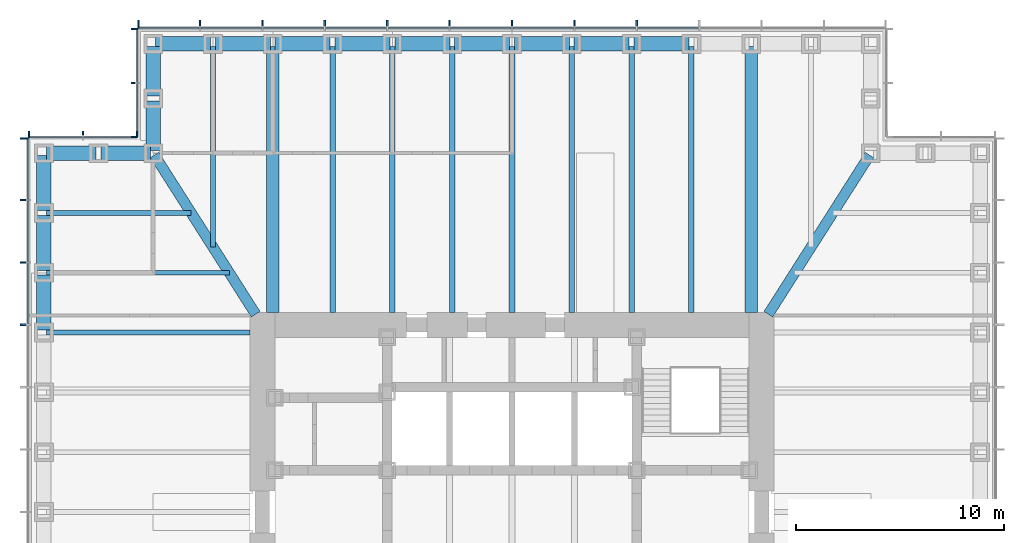
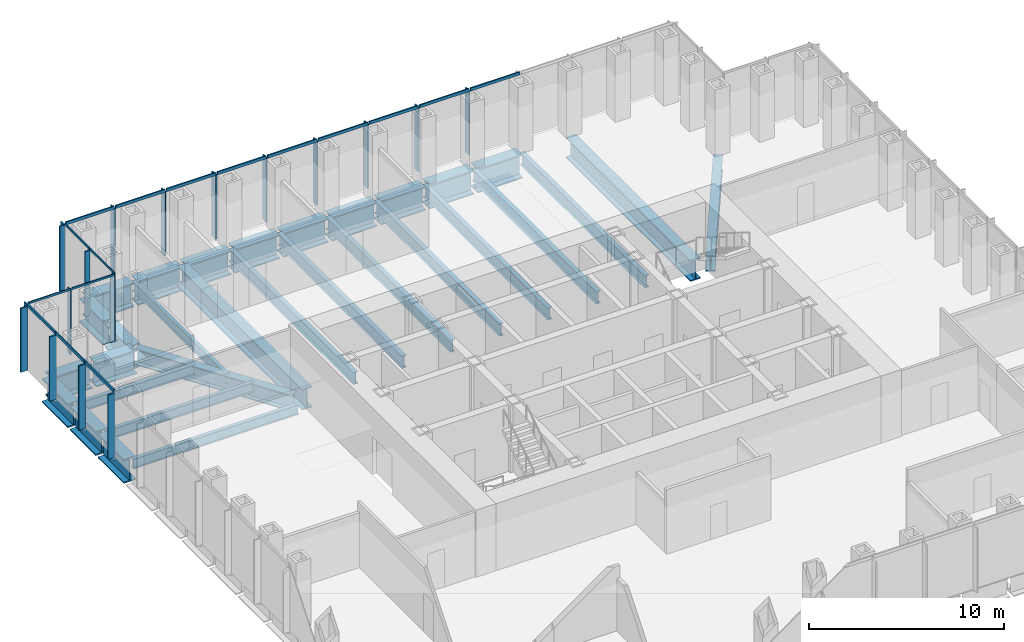
# One storey, part 5 of 16: 35 members, 31 beams, 4 elements without a shape of their own.
"""IFC4 building model written with IfcOpenShell, lengths in metres."""

import ifcopenshell
import ifcopenshell.guid

model = None  # the IFC model being written
_history = None  # IfcOwnerHistory: only IFC2X3 demands one
_inside = {}  # id of a spatial element -> (the spatial element, [elements in it])
_under = {}  # id of a project, library or spatial element -> (it, [spatial elements below it])
_declared = {}  # id of a project -> (the project, [libraries it declares])
_typed = {}  # id of a type object -> (the type object, [elements of that type])
_made_of = {}  # id of a material, layer set ... -> (it, [elements and type objects made of it])


def new_model(schema):
    """Start an empty IFC model of exactly this schema.

    Asked for "IFC4X3", IfcOpenShell would pick the latest addendum, in which some entities
    have other attributes; the version numbers below select the first issue.
    IFC2X3 requires an IfcOwnerHistory on every rooted entity: one is made here for all.
    """
    global model, _history
    if schema == "IFC4X3":
        model = ifcopenshell.file(schema_version=(4, 3, 0, 0))
    else:
        model = ifcopenshell.file(schema=schema)
    _inside.clear()
    _under.clear()
    _declared.clear()
    _typed.clear()
    _made_of.clear()
    _history = None
    if model.schema == "IFC2X3":
        org = make("IfcOrganization", Name="unknown")
        user = make(
            "IfcPersonAndOrganization",
            ThePerson=make("IfcPerson", FamilyName="unknown"),
            TheOrganization=org,
        )
        app = make(
            "IfcApplication",
            ApplicationDeveloper=org,
            Version="unknown",
            ApplicationFullName="unknown",
            ApplicationIdentifier="unknown",
        )
        _history = make(
            "IfcOwnerHistory",
            OwningUser=user,
            OwningApplication=app,
            ChangeAction="ADDED",
            CreationDate=0,
        )
    return model


def make(cls, **values):
    """One entity of the class cls with the attributes given. An attribute that is None is left unset."""
    return model.create_entity(
        cls, **{name: value for name, value in values.items() if value is not None}
    )


def rooted(cls, **values):
    """An entity with a GlobalId (a new one), such as an element, a storey or a relation."""
    return make(cls, GlobalId=ifcopenshell.guid.new(), OwnerHistory=_history, **values)


def si_unit(unit_type, name, prefix=None):
    """IfcSIUnit, for example si_unit("LENGTHUNIT", "METRE", prefix="MILLI")."""
    return make("IfcSIUnit", UnitType=unit_type, Prefix=prefix, Name=name)


def assignment(units):
    """IfcUnitAssignment: the units of a project."""
    return None if units is None else make("IfcUnitAssignment", Units=units)


def point(xyz):
    """IfcCartesianPoint."""
    return None if xyz is None else make("IfcCartesianPoint", Coordinates=xyz)


def direction(xyz):
    """IfcDirection."""
    return None if xyz is None else make("IfcDirection", DirectionRatios=xyz)


def frame(location, z_axis=None, x_axis=None):
    """IfcAxis2Placement3D, a coordinate frame: its origin and axes. An axis left out is left unset."""
    return make(
        "IfcAxis2Placement3D",
        Location=point(location),
        Axis=direction(z_axis),
        RefDirection=direction(x_axis),
    )


def frame_2d(location, x_axis=None):
    """IfcAxis2Placement2D, a coordinate frame in the plane: its origin and x axis."""
    return make(
        "IfcAxis2Placement2D", Location=point(location), RefDirection=direction(x_axis)
    )


def origin():
    """The frame at (0, 0, 0) with its axes left unset."""
    return frame((0.0, 0.0, 0.0))


def origin_2d():
    """The frame at (0, 0) in the plane with its x axis left unset."""
    return frame_2d((0.0, 0.0))


def place(relative_to, where):
    """IfcLocalPlacement: puts the frame where relative to a parent placement (None: the world)."""
    return make(
        "IfcLocalPlacement", PlacementRelTo=relative_to, RelativePlacement=where
    )


def context(
    kind, dimensions, precision=None, world=None, true_north=None, identifier=None
):
    """IfcGeometricRepresentationContext, for example the 3D "Model" context."""
    return make(
        "IfcGeometricRepresentationContext",
        ContextIdentifier=identifier,
        ContextType=kind,
        CoordinateSpaceDimension=dimensions,
        Precision=precision,
        WorldCoordinateSystem=world,
        TrueNorth=true_north,
    )


def subcontext(parent, identifier, kind, view, scale=None):
    """IfcGeometricRepresentationSubContext, for example "Body" below "Model"."""
    return make(
        "IfcGeometricRepresentationSubContext",
        ContextIdentifier=identifier,
        ContextType=kind,
        ParentContext=parent,
        TargetScale=scale,
        TargetView=view,
    )


def project(units=None, contexts=None):
    """IfcProject with its units and contexts."""
    return rooted(
        "IfcProject",
        Name="project",
        RepresentationContexts=contexts,
        UnitsInContext=assignment(units),
    )


def spatial(cls, under=None, at=None, **own):
    """A site, building, storey or space (cls), placed at a placement, below another one or the project."""
    s = rooted(cls, ObjectPlacement=at, **own)
    if under is not None:
        _under.setdefault(under.id(), (under, []))[1].append(s)
    return s


def profile(cls, at=None, kind="AREA", **sizes):
    """A parametric profile (cls). Its sizes go by their IFC names, for example OverallWidth=200.0."""
    return make(cls, ProfileType=kind, Position=at, **sizes)


def rectangle(**sizes):
    """IfcRectangleProfileDef."""
    return profile("IfcRectangleProfileDef", **sizes)


def i_section(**sizes):
    """IfcIShapeProfileDef."""
    return profile("IfcIShapeProfileDef", **sizes)


def extrude(swept, where, along, depth):
    """IfcExtrudedAreaSolid: the profile swept, set in the frame where, extruded along a direction by depth."""
    return make(
        "IfcExtrudedAreaSolid",
        SweptArea=swept,
        Position=where,
        ExtrudedDirection=direction(along),
        Depth=depth,
    )


def shape(context_of_items, identifier, shape_type, items):
    """IfcShapeRepresentation: the items that make up one representation, for example the "Body"."""
    return make(
        "IfcShapeRepresentation",
        ContextOfItems=context_of_items,
        RepresentationIdentifier=identifier,
        RepresentationType=shape_type,
        Items=items,
    )


def material(Name=None, Category=None):
    """IfcMaterial."""
    return make("IfcMaterial", Name=Name, Category=Category)


def material_profile(
    of_material, cross_section, Name=None, Category=None, Priority=None
):
    """IfcMaterialProfile: a cross section and its material."""
    return make(
        "IfcMaterialProfile",
        Name=Name,
        Material=of_material,
        Profile=cross_section,
        Priority=Priority,
        Category=Category,
    )


def profile_set(profiles, Name=None, composite=None):
    """IfcMaterialProfileSet."""
    return make(
        "IfcMaterialProfileSet",
        Name=Name,
        MaterialProfiles=profiles,
        CompositeProfile=composite,
    )


def made_of(thing, what):
    """Note that an element or type object is made of a material, layer set ...; save() writes the relation."""
    if what is not None:
        _made_of.setdefault(what.id(), (what, []))[1].append(thing)
    return thing


def type_object(cls, material=None, **own):
    """A type object (cls), such as IfcWallType, which elements share."""
    return made_of(rooted(cls, **own), material)


def element(
    cls,
    number,
    at=None,
    inside=None,
    cuts=None,
    type_object=None,
    material=None,
    context=None,
    identifier="Body",
    shape_type=None,
    held_by="IfcProductDefinitionShape",
    body=None,
    shapes=None,
    **own,
):
    """One element of the class cls, such as IfcWall. Its Tag is "e" and its number.

    at: its placement. inside: the storey or other place that contains it. cuts: it is an
    opening in that element (IfcRelVoidsElement). A single representation is given by context,
    identifier, shape_type and body (its items); several are given by shapes. held_by: the class
    of the entity that holds the representations. save() writes the other relations.
    """
    e = rooted(cls, Tag="e%d" % number, ObjectPlacement=at, **own)
    if body is not None:
        shapes = [shape(context, identifier, shape_type, body)]
    if shapes is not None:
        e.Representation = make(held_by, Representations=shapes)
    if inside is not None:
        _inside.setdefault(inside.id(), (inside, []))[1].append(e)
    if cuts is not None:
        rooted(
            "IfcRelVoidsElement", RelatingBuildingElement=cuts, RelatedOpeningElement=e
        )
    if type_object is not None:
        _typed.setdefault(type_object.id(), (type_object, []))[1].append(e)
    return made_of(e, material)


def aggregate(whole, parts):
    """IfcRelAggregates: a whole, such as a stair, and the parts it consists of."""
    return rooted("IfcRelAggregates", RelatingObject=whole, RelatedObjects=parts)


def save(model, path):
    """Write the relations noted so far, then the file.

    IfcRelAggregates (storeys below a building ...), IfcRelContainedInSpatialStructure (elements
    in a storey), IfcRelDefinesByType, IfcRelAssociatesMaterial and IfcRelDeclares: one each for
    every whole, place, type object, material and project.
    """
    for whole, parts in _under.values():
        aggregate(whole, parts)
    for where, things in _inside.values():
        rooted(
            "IfcRelContainedInSpatialStructure",
            RelatedElements=things,
            RelatingStructure=where,
        )
    for kind, things in _typed.values():
        rooted("IfcRelDefinesByType", RelatedObjects=things, RelatingType=kind)
    for what, things in _made_of.values():
        rooted("IfcRelAssociatesMaterial", RelatedObjects=things, RelatingMaterial=what)
    for by, libraries in _declared.values():
        rooted("IfcRelDeclares", RelatingContext=by, RelatedDefinitions=libraries)
    model.write(path)


model = new_model("IFC4")

# Units and contexts
model_context = context("Model", 3, precision=1e-05, world=origin(), true_north=direction((0.0, 1.0)))
body_context = subcontext(model_context, "Body", "Model", "MODEL_VIEW")
ifc_project = project(units=[si_unit("LENGTHUNIT", "METRE"), si_unit("AREAUNIT", "SQUARE_METRE"), si_unit("VOLUMEUNIT", "CUBIC_METRE"), si_unit("PLANEANGLEUNIT", "RADIAN"), si_unit("MASSUNIT", "GRAM", prefix="KILO")], contexts=[model_context])

# Site, building, storey
site_placement = place(None, origin())
site = spatial("IfcSite", under=ifc_project, at=site_placement, CompositionType="ELEMENT")
building_placement = place(site_placement, origin())
building = spatial("IfcBuilding", under=site, at=building_placement, Name="Daluyong Arena Tower", CompositionType="ELEMENT")
storey_placement = place(building_placement, frame((0.0, 0.0, 133.300048828125)))
storey = spatial("IfcBuildingStorey", under=building, at=storey_placement, Name="L29", CompositionType="ELEMENT", Elevation=133.300048828125)

# Curtain wall, members
ifc_material_1 = material(Name="Bronze anodised aluminium and glass", Category="aluminium")
curtain_wall_type_1 = type_object("IfcCurtainWallType", Name="Curtain wall CW2", PredefinedType="USERDEFINED", material=ifc_material_1)
curtain_wall_1_placement = place(storey_placement, origin())
curtain_wall_1 = element("IfcCurtainWall", 1, at=curtain_wall_1_placement, inside=storey, type_object=curtain_wall_type_1, Name="curtain wall L29 N", ObjectType="UNITISED CURTAIN WALL", PredefinedType="USERDEFINED")
ifc_material_2 = material(Name="Bronze anodised aluminium fin", Category="aluminium")
ifc_material_profile_1 = material_profile(ifc_material_2, rectangle(XDim=0.39990234375, YDim=0.080078125, at=origin_2d()))
ifc_profile_set_1 = profile_set([ifc_material_profile_1], Name="Bronze anodised aluminium fin")
member_type_1 = type_object("IfcMemberType", Name="CW2 bronze fin 400x80", PredefinedType="MULLION", material=ifc_profile_set_1)
member_1_placement = place(storey_placement, frame((62.0, 103.449951171875, 0.0), z_axis=(0.0, 0.0, 1.0), x_axis=(0.0, -1.0, 0.0)))
member_1 = element("IfcMember", 2, at=member_1_placement, type_object=member_type_1, Name="curtain wall L29 N fin 5", PredefinedType="MULLION", context=body_context, shape_type="SweptSolid", body=[
    extrude(rectangle(XDim=0.39990234375, YDim=0.080078125, at=origin_2d()), origin(), (0.0, 0.0, 1.0), 4.02001953125),
])
member_2_placement = place(storey_placement, frame((59.0, 103.449951171875, 0.0), z_axis=(0.0, 0.0, 1.0), x_axis=(0.0, -1.0, 0.0)))
member_2 = element("IfcMember", 3, at=member_2_placement, type_object=member_type_1, Name="curtain wall L29 N fin 6", PredefinedType="MULLION", context=body_context, shape_type="SweptSolid", body=[
    extrude(rectangle(XDim=0.39990234375, YDim=0.080078125, at=origin_2d()), origin(), (0.0, 0.0, 1.0), 4.02001953125),
])
member_3_placement = place(storey_placement, frame((56.0, 103.449951171875, 0.0), z_axis=(0.0, 0.0, 1.0), x_axis=(0.0, -1.0, 0.0)))
member_3 = element("IfcMember", 4, at=member_3_placement, type_object=member_type_1, Name="curtain wall L29 N fin 7", PredefinedType="MULLION", context=body_context, shape_type="SweptSolid", body=[
    extrude(rectangle(XDim=0.39990234375, YDim=0.080078125, at=origin_2d()), origin(), (0.0, 0.0, 1.0), 4.02001953125),
])
member_4_placement = place(storey_placement, frame((53.0, 103.449951171875, 0.0), z_axis=(0.0, 0.0, 1.0), x_axis=(0.0, -1.0, 0.0)))
member_4 = element("IfcMember", 5, at=member_4_placement, type_object=member_type_1, Name="curtain wall L29 N fin 8", PredefinedType="MULLION", context=body_context, shape_type="SweptSolid", body=[
    extrude(rectangle(XDim=0.39990234375, YDim=0.080078125, at=origin_2d()), origin(), (0.0, 0.0, 1.0), 4.02001953125),
])
member_5_placement = place(storey_placement, frame((50.0, 103.449951171875, 0.0), z_axis=(0.0, 0.0, 1.0), x_axis=(0.0, -1.0, 0.0)))
member_5 = element("IfcMember", 6, at=member_5_placement, type_object=member_type_1, Name="curtain wall L29 N fin 9", PredefinedType="MULLION", context=body_context, shape_type="SweptSolid", body=[
    extrude(rectangle(XDim=0.39990234375, YDim=0.080078125, at=origin_2d()), origin(), (0.0, 0.0, 1.0), 4.02001953125),
])
member_6_placement = place(storey_placement, frame((47.0, 103.449951171875, 0.0), z_axis=(0.0, 0.0, 1.0), x_axis=(0.0, -1.0, 0.0)))
member_6 = element("IfcMember", 7, at=member_6_placement, type_object=member_type_1, Name="curtain wall L29 N fin 10", PredefinedType="MULLION", context=body_context, shape_type="SweptSolid", body=[
    extrude(rectangle(XDim=0.39990234375, YDim=0.080078125, at=origin_2d()), origin(), (0.0, 0.0, 1.0), 4.02001953125),
])
member_7_placement = place(storey_placement, frame((44.0, 103.449951171875, 0.0), z_axis=(0.0, 0.0, 1.0), x_axis=(0.0, -1.0, 0.0)))
member_7 = element("IfcMember", 8, at=member_7_placement, type_object=member_type_1, Name="curtain wall L29 N fin 11", PredefinedType="MULLION", context=body_context, shape_type="SweptSolid", body=[
    extrude(rectangle(XDim=0.39990234375, YDim=0.080078125, at=origin_2d()), origin(), (0.0, 0.0, 1.0), 4.02001953125),
])
member_8_placement = place(storey_placement, frame((41.0, 103.449951171875, 0.0), z_axis=(0.0, 0.0, 1.0), x_axis=(0.0, -1.0, 0.0)))
member_8 = element("IfcMember", 9, at=member_8_placement, type_object=member_type_1, Name="curtain wall L29 N fin 12", PredefinedType="MULLION", context=body_context, shape_type="SweptSolid", body=[
    extrude(rectangle(XDim=0.39990234375, YDim=0.080078125, at=origin_2d()), origin(), (0.0, 0.0, 1.0), 4.02001953125),
])
member_9_placement = place(storey_placement, frame((38.0400390625, 103.449951171875, 0.0), z_axis=(0.0, 0.0, 1.0), x_axis=(0.0, -1.0, 0.0)))
member_9 = element("IfcMember", 10, at=member_9_placement, type_object=member_type_1, Name="curtain wall L29 N fin 13", PredefinedType="MULLION", context=body_context, shape_type="SweptSolid", body=[
    extrude(rectangle(XDim=0.39990234375, YDim=0.080078125, at=origin_2d()), origin(), (0.0, 0.0, 1.0), 4.02001953125),
])

curtain_wall_2_placement = place(storey_placement, origin())
curtain_wall_2 = element("IfcCurtainWall", 11, at=curtain_wall_2_placement, inside=storey, type_object=curtain_wall_type_1, Name="curtain wall L29 W", ObjectType="UNITISED CURTAIN WALL", PredefinedType="USERDEFINED")
member_10_placement = place(storey_placement, frame((32.550048828125, 97.9599609375, 0.0), z_axis=(0.0, 0.0, 1.0), x_axis=(1.0, 0.0, 0.0)))
member_10 = element("IfcMember", 12, at=member_10_placement, type_object=member_type_1, Name="curtain wall L29 W fin 1", PredefinedType="MULLION", context=body_context, shape_type="SweptSolid", body=[
    extrude(rectangle(XDim=0.39990234375, YDim=0.080078125, at=origin_2d()), origin(), (0.0, 0.0, 1.0), 4.02001953125),
])
member_11_placement = place(storey_placement, frame((32.550048828125, 95.0, 0.0), z_axis=(0.0, 0.0, 1.0), x_axis=(1.0, 0.0, 0.0)))
member_11 = element("IfcMember", 13, at=member_11_placement, type_object=member_type_1, Name="curtain wall L29 W fin 2", PredefinedType="MULLION", context=body_context, shape_type="SweptSolid", body=[
    extrude(rectangle(XDim=0.39990234375, YDim=0.080078125, at=origin_2d()), origin(), (0.0, 0.0, 1.0), 4.02001953125),
])
member_12_placement = place(storey_placement, frame((32.550048828125, 92.0, 0.0), z_axis=(0.0, 0.0, 1.0), x_axis=(1.0, 0.0, 0.0)))
member_12 = element("IfcMember", 14, at=member_12_placement, type_object=member_type_1, Name="curtain wall L29 W fin 3", PredefinedType="MULLION", context=body_context, shape_type="SweptSolid", body=[
    extrude(rectangle(XDim=0.39990234375, YDim=0.080078125, at=origin_2d()), origin(), (0.0, 0.0, 1.0), 4.02001953125),
])
member_13_placement = place(storey_placement, frame((32.550048828125, 89.0, 0.0), z_axis=(0.0, 0.0, 1.0), x_axis=(1.0, 0.0, 0.0)))
member_13 = element("IfcMember", 15, at=member_13_placement, type_object=member_type_1, Name="curtain wall L29 W fin 4", PredefinedType="MULLION", context=body_context, shape_type="SweptSolid", body=[
    extrude(rectangle(XDim=0.39990234375, YDim=0.080078125, at=origin_2d()), origin(), (0.0, 0.0, 1.0), 4.02001953125),
])

# Member
ifc_material_3 = material(Name="Bronze anodised aluminium", Category="aluminium")
ifc_material_profile_2 = material_profile(ifc_material_3, rectangle(XDim=0.080078125, YDim=0.179931640625, at=origin_2d()))
ifc_profile_set_2 = profile_set([ifc_material_profile_2], Name="Bronze anodised aluminium")
member_type_2 = type_object("IfcMemberType", Name="CW2 stack transom 180x80", PredefinedType="USERDEFINED", material=ifc_profile_set_2)
member_14_placement = place(storey_placement, frame((64.9599609375, 103.25, 4.10986328125), z_axis=(-1.0, 0.0, 0.0), x_axis=(0.0, -1.0, 0.0)))
member_14 = element("IfcMember", 16, at=member_14_placement, type_object=member_type_2, Name="curtain wall L29 N transom 4", ObjectType="TRANSOM", PredefinedType="USERDEFINED", context=body_context, shape_type="SweptSolid", body=[
    extrude(rectangle(XDim=0.080078125, YDim=0.179931640625, at=origin_2d()), origin(), (0.0, 0.0, 1.0), 2.919921875),
])

member_15_placement = place(storey_placement, frame((61.9599609375, 103.25, 4.10986328125), z_axis=(-1.0, 0.0, 0.0), x_axis=(0.0, -1.0, 0.0)))
member_15 = element("IfcMember", 17, at=member_15_placement, type_object=member_type_2, Name="curtain wall L29 N transom 5", ObjectType="TRANSOM", PredefinedType="USERDEFINED", context=body_context, shape_type="SweptSolid", body=[
    extrude(rectangle(XDim=0.080078125, YDim=0.179931640625, at=origin_2d()), origin(), (0.0, 0.0, 1.0), 2.919921875),
])

member_16_placement = place(storey_placement, frame((58.9599609375, 103.25, 4.10986328125), z_axis=(-1.0, 0.0, 0.0), x_axis=(0.0, -1.0, 0.0)))
member_16 = element("IfcMember", 18, at=member_16_placement, type_object=member_type_2, Name="curtain wall L29 N transom 6", ObjectType="TRANSOM", PredefinedType="USERDEFINED", context=body_context, shape_type="SweptSolid", body=[
    extrude(rectangle(XDim=0.080078125, YDim=0.179931640625, at=origin_2d()), origin(), (0.0, 0.0, 1.0), 2.919921875),
])

member_17_placement = place(storey_placement, frame((55.9599609375, 103.25, 4.10986328125), z_axis=(-1.0, 0.0, 0.0), x_axis=(0.0, -1.0, 0.0)))
member_17 = element("IfcMember", 19, at=member_17_placement, type_object=member_type_2, Name="curtain wall L29 N transom 7", ObjectType="TRANSOM", PredefinedType="USERDEFINED", context=body_context, shape_type="SweptSolid", body=[
    extrude(rectangle(XDim=0.080078125, YDim=0.179931640625, at=origin_2d()), origin(), (0.0, 0.0, 1.0), 2.919921875),
])

member_18_placement = place(storey_placement, frame((52.9599609375, 103.25, 4.10986328125), z_axis=(-1.0, 0.0, 0.0), x_axis=(0.0, -1.0, 0.0)))
member_18 = element("IfcMember", 20, at=member_18_placement, type_object=member_type_2, Name="curtain wall L29 N transom 8", ObjectType="TRANSOM", PredefinedType="USERDEFINED", context=body_context, shape_type="SweptSolid", body=[
    extrude(rectangle(XDim=0.080078125, YDim=0.179931640625, at=origin_2d()), origin(), (0.0, 0.0, 1.0), 2.919921875),
])

member_19_placement = place(storey_placement, frame((49.9599609375, 103.25, 4.10986328125), z_axis=(-1.0, 0.0, 0.0), x_axis=(0.0, -1.0, 0.0)))
member_19 = element("IfcMember", 21, at=member_19_placement, type_object=member_type_2, Name="curtain wall L29 N transom 9", ObjectType="TRANSOM", PredefinedType="USERDEFINED", context=body_context, shape_type="SweptSolid", body=[
    extrude(rectangle(XDim=0.080078125, YDim=0.179931640625, at=origin_2d()), origin(), (0.0, 0.0, 1.0), 2.919921875),
])

member_20_placement = place(storey_placement, frame((46.9599609375, 103.25, 4.10986328125), z_axis=(-1.0, 0.0, 0.0), x_axis=(0.0, -1.0, 0.0)))
member_20 = element("IfcMember", 22, at=member_20_placement, type_object=member_type_2, Name="curtain wall L29 N transom 10", ObjectType="TRANSOM", PredefinedType="USERDEFINED", context=body_context, shape_type="SweptSolid", body=[
    extrude(rectangle(XDim=0.080078125, YDim=0.179931640625, at=origin_2d()), origin(), (0.0, 0.0, 1.0), 2.919921875),
])

member_21_placement = place(storey_placement, frame((43.9599609375, 103.25, 4.10986328125), z_axis=(-1.0, 0.0, 0.0), x_axis=(0.0, -1.0, 0.0)))
member_21 = element("IfcMember", 23, at=member_21_placement, type_object=member_type_2, Name="curtain wall L29 N transom 11", ObjectType="TRANSOM", PredefinedType="USERDEFINED", context=body_context, shape_type="SweptSolid", body=[
    extrude(rectangle(XDim=0.080078125, YDim=0.179931640625, at=origin_2d()), origin(), (0.0, 0.0, 1.0), 2.919921875),
])

member_22_placement = place(storey_placement, frame((40.9599609375, 103.25, 4.10986328125), z_axis=(-1.0, 0.0, 0.0), x_axis=(0.0, -1.0, 0.0)))
member_22 = element("IfcMember", 24, at=member_22_placement, type_object=member_type_2, Name="curtain wall L29 N transom 12", ObjectType="TRANSOM", PredefinedType="USERDEFINED", context=body_context, shape_type="SweptSolid", body=[
    extrude(rectangle(XDim=0.080078125, YDim=0.179931640625, at=origin_2d()), origin(), (0.0, 0.0, 1.0), 2.8798828125),
])

aggregate(curtain_wall_1, [member_1, member_2, member_3, member_4, member_5, member_6, member_7, member_8, member_9, member_14, member_15, member_16, member_17, member_18, member_19, member_20, member_21, member_22])

member_23_placement = place(storey_placement, frame((32.75, 97.919921875, 4.10986328125), z_axis=(0.0, -1.0, 0.0), x_axis=(1.0, 0.0, 0.0)))
member_23 = element("IfcMember", 25, at=member_23_placement, type_object=member_type_2, Name="curtain wall L29 W transom 1", ObjectType="TRANSOM", PredefinedType="USERDEFINED", context=body_context, shape_type="SweptSolid", body=[
    extrude(rectangle(XDim=0.080078125, YDim=0.179931640625, at=origin_2d()), origin(), (0.0, 0.0, 1.0), 2.8798828125),
])

member_24_placement = place(storey_placement, frame((32.75, 94.9599609375, 4.10986328125), z_axis=(0.0, -1.0, 0.0), x_axis=(1.0, 0.0, 0.0)))
member_24 = element("IfcMember", 26, at=member_24_placement, type_object=member_type_2, Name="curtain wall L29 W transom 2", ObjectType="TRANSOM", PredefinedType="USERDEFINED", context=body_context, shape_type="SweptSolid", body=[
    extrude(rectangle(XDim=0.080078125, YDim=0.179931640625, at=origin_2d()), origin(), (0.0, 0.0, 1.0), 2.919921875),
])

member_25_placement = place(storey_placement, frame((32.75, 91.9599609375, 4.10986328125), z_axis=(0.0, -1.0, 0.0), x_axis=(1.0, 0.0, 0.0)))
member_25 = element("IfcMember", 27, at=member_25_placement, type_object=member_type_2, Name="curtain wall L29 W transom 3", ObjectType="TRANSOM", PredefinedType="USERDEFINED", context=body_context, shape_type="SweptSolid", body=[
    extrude(rectangle(XDim=0.080078125, YDim=0.179931640625, at=origin_2d()), origin(), (0.0, 0.0, 1.0), 2.919921875),
])

aggregate(curtain_wall_2, [member_10, member_11, member_12, member_13, member_23, member_24, member_25])

# Curtain wall, members
ifc_material_4 = material(Name="Bronze anodised aluminium and glass", Category="aluminium")
curtain_wall_type_2 = type_object("IfcCurtainWallType", Name="Curtain wall CW7", PredefinedType="USERDEFINED", material=ifc_material_4)
curtain_wall_3_placement = place(storey_placement, origin())
curtain_wall_3 = element("IfcCurtainWall", 28, at=curtain_wall_3_placement, inside=storey, type_object=curtain_wall_type_2, Name="curtain wall L29 NW-W", ObjectType="UNITISED CURTAIN WALL", PredefinedType="USERDEFINED")
ifc_material_5 = material(Name="Bronze anodised aluminium fin", Category="aluminium")
ifc_material_profile_3 = material_profile(ifc_material_5, rectangle(XDim=0.300048828125, YDim=0.06005859375, at=origin_2d()))
ifc_profile_set_3 = profile_set([ifc_material_profile_3], Name="Bronze anodised aluminium fin")
member_type_3 = type_object("IfcMemberType", Name="CW7 bronze fin 300x60", PredefinedType="MULLION", material=ifc_profile_set_3)
member_26_placement = place(storey_placement, frame((37.85009765625, 103.219970703125, 0.0), z_axis=(0.0, 0.0, 1.0), x_axis=(1.0, 0.0, 0.0)))
member_26 = element("IfcMember", 29, at=member_26_placement, type_object=member_type_3, Name="curtain wall L29 NW-W fin 1", PredefinedType="MULLION", context=body_context, shape_type="SweptSolid", body=[
    extrude(rectangle(XDim=0.300048828125, YDim=0.06005859375, at=origin_2d()), origin(), (0.0, 0.0, 1.0), 4.079833984375),
])
member_27_placement = place(storey_placement, frame((37.85009765625, 100.625, 0.0), z_axis=(0.0, 0.0, 1.0), x_axis=(1.0, 0.0, 0.0)))
member_27 = element("IfcMember", 30, at=member_27_placement, type_object=member_type_3, Name="curtain wall L29 NW-W fin 2", PredefinedType="MULLION", context=body_context, shape_type="SweptSolid", body=[
    extrude(rectangle(XDim=0.300048828125, YDim=0.06005859375, at=origin_2d()), origin(), (0.0, 0.0, 1.0), 4.079833984375),
])
member_28_placement = place(storey_placement, frame((37.85009765625, 98.030029296875, 0.0), z_axis=(0.0, 0.0, 1.0), x_axis=(1.0, 0.0, 0.0)))
member_28 = element("IfcMember", 31, at=member_28_placement, type_object=member_type_3, Name="curtain wall L29 NW-W fin 3", PredefinedType="MULLION", context=body_context, shape_type="SweptSolid", body=[
    extrude(rectangle(XDim=0.300048828125, YDim=0.06005859375, at=origin_2d()), origin(), (0.0, 0.0, 1.0), 4.079833984375),
])

curtain_wall_4_placement = place(storey_placement, origin())
curtain_wall_4 = element("IfcCurtainWall", 32, at=curtain_wall_4_placement, inside=storey, type_object=curtain_wall_type_2, Name="curtain wall L29 NW-N", ObjectType="UNITISED CURTAIN WALL", PredefinedType="USERDEFINED")
member_29_placement = place(storey_placement, frame((37.969970703125, 98.14990234375, 0.0), z_axis=(0.0, 0.0, 1.0), x_axis=(0.0, -1.0, 0.0)))
member_29 = element("IfcMember", 33, at=member_29_placement, type_object=member_type_3, Name="curtain wall L29 NW-N fin 1", PredefinedType="MULLION", context=body_context, shape_type="SweptSolid", body=[
    extrude(rectangle(XDim=0.300048828125, YDim=0.06005859375, at=origin_2d()), origin(), (0.0, 0.0, 1.0), 4.079833984375),
])
member_30_placement = place(storey_placement, frame((35.375, 98.14990234375, 0.0), z_axis=(0.0, 0.0, 1.0), x_axis=(0.0, -1.0, 0.0)))
member_30 = element("IfcMember", 34, at=member_30_placement, type_object=member_type_3, Name="curtain wall L29 NW-N fin 2", PredefinedType="MULLION", context=body_context, shape_type="SweptSolid", body=[
    extrude(rectangle(XDim=0.300048828125, YDim=0.06005859375, at=origin_2d()), origin(), (0.0, 0.0, 1.0), 4.079833984375),
])
member_31_placement = place(storey_placement, frame((32.780029296875, 98.14990234375, 0.0), z_axis=(0.0, 0.0, 1.0), x_axis=(0.0, -1.0, 0.0)))
member_31 = element("IfcMember", 35, at=member_31_placement, type_object=member_type_3, Name="curtain wall L29 NW-N fin 3", PredefinedType="MULLION", context=body_context, shape_type="SweptSolid", body=[
    extrude(rectangle(XDim=0.300048828125, YDim=0.06005859375, at=origin_2d()), origin(), (0.0, 0.0, 1.0), 4.079833984375),
])

# Member
ifc_material_6 = material(Name="Bronze anodised aluminium", Category="aluminium")
ifc_material_profile_4 = material_profile(ifc_material_6, rectangle(XDim=0.06005859375, YDim=0.1201171875, at=origin_2d()))
ifc_profile_set_4 = profile_set([ifc_material_profile_4], Name="Bronze anodised aluminium")
member_type_4 = type_object("IfcMemberType", Name="CW7 stack transom 120x60", PredefinedType="USERDEFINED", material=ifc_profile_set_4)
member_32_placement = place(storey_placement, frame((38.0, 103.18994140625, 4.139892578125), z_axis=(0.0, -1.0, 0.0), x_axis=(1.0, 0.0, 0.0)))
member_32 = element("IfcMember", 36, at=member_32_placement, type_object=member_type_4, Name="curtain wall L29 NW-W transom 1", ObjectType="TRANSOM", PredefinedType="USERDEFINED", context=body_context, shape_type="SweptSolid", body=[
    extrude(rectangle(XDim=0.06005859375, YDim=0.1201171875, at=origin_2d()), origin(), (0.0, 0.0, 1.0), 2.534912109375),
])

member_33_placement = place(storey_placement, frame((38.0, 100.594970703125, 4.139892578125), z_axis=(0.0, -1.0, 0.0), x_axis=(1.0, 0.0, 0.0)))
member_33 = element("IfcMember", 37, at=member_33_placement, type_object=member_type_4, Name="curtain wall L29 NW-W transom 2", ObjectType="TRANSOM", PredefinedType="USERDEFINED", context=body_context, shape_type="SweptSolid", body=[
    extrude(rectangle(XDim=0.06005859375, YDim=0.1201171875, at=origin_2d()), origin(), (0.0, 0.0, 1.0), 2.534912109375),
])

aggregate(curtain_wall_3, [member_26, member_27, member_28, member_32, member_33])

member_34_placement = place(storey_placement, frame((37.93994140625, 98.0, 4.139892578125), z_axis=(-1.0, 0.0, 0.0), x_axis=(0.0, -1.0, 0.0)))
member_34 = element("IfcMember", 38, at=member_34_placement, type_object=member_type_4, Name="curtain wall L29 NW-N transom 1", ObjectType="TRANSOM", PredefinedType="USERDEFINED", context=body_context, shape_type="SweptSolid", body=[
    extrude(rectangle(XDim=0.06005859375, YDim=0.1201171875, at=origin_2d()), origin(), (0.0, 0.0, 1.0), 2.534912109375),
])

member_35_placement = place(storey_placement, frame((35.344970703125, 98.0, 4.139892578125), z_axis=(-1.0, 0.0, 0.0), x_axis=(0.0, -1.0, 0.0)))
member_35 = element("IfcMember", 39, at=member_35_placement, type_object=member_type_4, Name="curtain wall L29 NW-N transom 2", ObjectType="TRANSOM", PredefinedType="USERDEFINED", context=body_context, shape_type="SweptSolid", body=[
    extrude(rectangle(XDim=0.06005859375, YDim=0.1201171875, at=origin_2d()), origin(), (0.0, 0.0, 1.0), 2.534912109375),
])

aggregate(curtain_wall_4, [member_29, member_30, member_31, member_34, member_35])

# Beams
ifc_material_7 = material(Name="Steel ASTM A572 Grade 50", Category="steel")
ifc_material_profile_5 = material_profile(ifc_material_7, i_section(OverallWidth=0.5, OverallDepth=1.0, WebThickness=0.03, FlangeThickness=0.06, at=origin_2d()))
ifc_profile_set_5 = profile_set([ifc_material_profile_5], Name="Steel ASTM A572 Grade 50")
beam_type_1 = type_object("IfcBeamType", Name="Corner girder TB1000X500", PredefinedType="BEAM", material=ifc_profile_set_5)
for number, where, z_axis, x_axis, name in (
    (40, (73.188232421875, 97.153076171875, -0.66015625), (-0.536872006459, -0.843663705916, 0.0), (0.843663705916, -0.536872006459, 0.0), "corner girder DG2"),
    (41, (38.811767578125, 97.153076171875, -0.66015625), (0.536872006459, -0.843663705916, 0.0), (0.843663705916, 0.536872006459, 0.0), "corner girder DG2"),
):
    element("IfcBeam", number, at=place(storey_placement, frame(where, z_axis=z_axis, x_axis=x_axis)), inside=storey, type_object=beam_type_1, Name=name, PredefinedType="BEAM", context=body_context, shape_type="SweptSolid", body=[
        extrude(i_section(OverallWidth=0.5, OverallDepth=1.0, WebThickness=0.03, FlangeThickness=0.06, at=origin_2d()), origin(), (0.0, 0.0, 1.0), 9.06396484375),
    ])
ifc_material_8 = material(Name="Steel ASTM A572 Grade 50", Category="steel")
ifc_material_profile_6 = material_profile(ifc_material_8, i_section(OverallWidth=0.60009765625, OverallDepth=1.300048828125, WebThickness=0.035, FlangeThickness=0.07, at=origin_2d()))
ifc_profile_set_6 = profile_set([ifc_material_profile_6], Name="Steel ASTM A572 Grade 50")
beam_type_2 = type_object("IfcBeamType", Name="Floor beam TB1300X600", PredefinedType="BEAM", material=ifc_profile_set_6)
for number, where, z_axis, x_axis, name in (
    (42, (67.5, 102.385009765625, -0.81005859375), (0.0, -1.0, 0.0), (1.0, 0.0, 0.0), "floor beam FB7"),
    (43, (44.5, 102.385009765625, -0.81005859375), (0.0, -1.0, 0.0), (1.0, 0.0, 0.0), "floor beam FB7"),
):
    element("IfcBeam", number, at=place(storey_placement, frame(where, z_axis=z_axis, x_axis=x_axis)), inside=storey, type_object=beam_type_2, Name=name, PredefinedType="BEAM", context=body_context, shape_type="SweptSolid", body=[
        extrude(i_section(OverallWidth=0.60009765625, OverallDepth=1.300048828125, WebThickness=0.035, FlangeThickness=0.07, at=origin_2d()), origin(), (0.0, 0.0, 1.0), 12.784912109375),
    ])
ifc_material_9 = material(Name="Steel ASTM A992 Grade 50", Category="steel")
ifc_material_profile_7 = material_profile(ifc_material_9, i_section(OverallWidth=0.22900390625, OverallDepth=0.612060546875, WebThickness=0.011962890625, FlangeThickness=0.01953125, at=origin_2d()))
ifc_profile_set_7 = profile_set([ifc_material_profile_7], Name="Steel ASTM A992 Grade 50")
beam_type_3 = type_object("IfcBeamType", Name="Floor beam W24X84", PredefinedType="BEAM", material=ifc_profile_set_7)
beam_1_placement = place(storey_placement, frame((41.625, 102.385009765625, -0.466064453125), z_axis=(0.0, -1.0, 0.0), x_axis=(1.0, 0.0, 0.0)))
element("IfcBeam", 44, at=beam_1_placement, inside=storey, type_object=beam_type_3, Name="floor beam FB3", PredefinedType="BEAM", context=body_context, shape_type="SweptSolid", body=[
    extrude(i_section(OverallWidth=0.22900390625, OverallDepth=0.612060546875, WebThickness=0.011962890625, FlangeThickness=0.01953125, at=origin_2d()), origin(), (0.0, 0.0, 1.0), 9.65283203125),
])
beam_2_placement = place(storey_placement, frame((33.614990234375, 94.375, -0.466064453125), z_axis=(1.0, 0.0, 0.0), x_axis=(0.0, 1.0, 0.0)))
element("IfcBeam", 45, at=beam_2_placement, inside=storey, type_object=beam_type_3, Name="floor beam FB3", PredefinedType="BEAM", context=body_context, shape_type="SweptSolid", body=[
    extrude(i_section(OverallWidth=0.22900390625, OverallDepth=0.612060546875, WebThickness=0.011962890625, FlangeThickness=0.01953125, at=origin_2d()), origin(), (0.0, 0.0, 1.0), 6.964599609375),
])
beam_3_placement = place(storey_placement, frame((33.614990234375, 91.5, -0.466064453125), z_axis=(1.0, 0.0, 0.0), x_axis=(0.0, 1.0, 0.0)))
element("IfcBeam", 46, at=beam_3_placement, inside=storey, type_object=beam_type_3, Name="floor beam FB3", PredefinedType="BEAM", context=body_context, shape_type="SweptSolid", body=[
    extrude(i_section(OverallWidth=0.22900390625, OverallDepth=0.612060546875, WebThickness=0.011962890625, FlangeThickness=0.01953125, at=origin_2d()), origin(), (0.0, 0.0, 1.0), 8.794189453125),
])
beam_4_placement = place(storey_placement, frame((33.614990234375, 88.625, -0.466064453125), z_axis=(1.0, 0.0, 0.0), x_axis=(0.0, 1.0, 0.0)))
element("IfcBeam", 47, at=beam_4_placement, inside=storey, type_object=beam_type_3, Name="floor beam FB3", PredefinedType="BEAM", context=body_context, shape_type="SweptSolid", body=[
    extrude(i_section(OverallWidth=0.22900390625, OverallDepth=0.612060546875, WebThickness=0.011962890625, FlangeThickness=0.01953125, at=origin_2d()), origin(), (0.0, 0.0, 1.0), 9.784912109375),
])
ifc_material_10 = material(Name="Steel ASTM A992 Grade 50", Category="steel")
ifc_material_profile_8 = material_profile(ifc_material_10, i_section(OverallWidth=0.2666015625, OverallDepth=0.761962890625, WebThickness=0.014404296875, FlangeThickness=0.021484375, at=origin_2d()))
ifc_profile_set_8 = profile_set([ifc_material_profile_8], Name="Steel ASTM A992 Grade 50")
beam_type_4 = type_object("IfcBeamType", Name="Floor beam W30X116", PredefinedType="BEAM", material=ifc_profile_set_8)
for number, where, z_axis, x_axis, name in (
    (48, (64.625, 102.385009765625, -0.541015625), (0.0, -1.0, 0.0), (1.0, 0.0, 0.0), "floor beam FB4"),
    (49, (61.75, 102.385009765625, -0.541015625), (0.0, -1.0, 0.0), (1.0, 0.0, 0.0), "floor beam FB4"),
    (50, (58.875, 102.385009765625, -0.541015625), (0.0, -1.0, 0.0), (1.0, 0.0, 0.0), "floor beam FB4"),
    (51, (56.0, 102.385009765625, -0.541015625), (0.0, -1.0, 0.0), (1.0, 0.0, 0.0), "floor beam FB4"),
    (52, (53.125, 102.385009765625, -0.541015625), (0.0, -1.0, 0.0), (1.0, 0.0, 0.0), "floor beam FB4"),
    (53, (50.25, 102.385009765625, -0.541015625), (0.0, -1.0, 0.0), (1.0, 0.0, 0.0), "floor beam FB4"),
    (54, (47.375, 102.385009765625, -0.541015625), (0.0, -1.0, 0.0), (1.0, 0.0, 0.0), "floor beam FB4"),
):
    element("IfcBeam", number, at=place(storey_placement, frame(where, z_axis=z_axis, x_axis=x_axis)), inside=storey, type_object=beam_type_4, Name=name, PredefinedType="BEAM", context=body_context, shape_type="SweptSolid", body=[
        extrude(i_section(OverallWidth=0.2666015625, OverallDepth=0.761962890625, WebThickness=0.014404296875, FlangeThickness=0.021484375, at=origin_2d()), origin(), (0.0, 0.0, 1.0), 12.784912109375),
    ])
ifc_material_11 = material(Name="Steel ASTM A572 Grade 50", Category="steel")
ifc_material_profile_9 = material_profile(ifc_material_11, i_section(OverallWidth=0.699951171875, OverallDepth=1.5, WebThickness=0.04, FlangeThickness=0.08, at=origin_2d()))
ifc_profile_set_9 = profile_set([ifc_material_profile_9], Name="Steel ASTM A572 Grade 50")
beam_type_5 = type_object("IfcBeamType", Name="Spandrel Z2 PG1500X700", PredefinedType="SPANDREL", material=ifc_profile_set_9)
for number, where, z_axis, x_axis, name in (
    (55, (64.510009765625, 102.5, -0.91015625), (-1.0, 0.0, 0.0), (0.0, -1.0, 0.0), "spandrel z2 SB6"),
    (56, (61.635009765625, 102.5, -0.91015625), (-1.0, 0.0, 0.0), (0.0, -1.0, 0.0), "spandrel z2 SB6"),
    (57, (58.760009765625, 102.5, -0.91015625), (-1.0, 0.0, 0.0), (0.0, -1.0, 0.0), "spandrel z2 SB6"),
    (58, (55.885009765625, 102.5, -0.91015625), (-1.0, 0.0, 0.0), (0.0, -1.0, 0.0), "spandrel z2 SB6"),
    (59, (53.010009765625, 102.5, -0.91015625), (-1.0, 0.0, 0.0), (0.0, -1.0, 0.0), "spandrel z2 SB6"),
    (60, (50.135009765625, 102.5, -0.91015625), (-1.0, 0.0, 0.0), (0.0, -1.0, 0.0), "spandrel z2 SB6"),
    (61, (47.260009765625, 102.5, -0.91015625), (-1.0, 0.0, 0.0), (0.0, -1.0, 0.0), "spandrel z2 SB6"),
    (62, (44.385009765625, 102.5, -0.91015625), (-1.0, 0.0, 0.0), (0.0, -1.0, 0.0), "spandrel z2 SB6"),
    (63, (41.510009765625, 102.5, -0.91015625), (-1.0, 0.0, 0.0), (0.0, -1.0, 0.0), "spandrel z2 SB6"),
):
    element("IfcBeam", number, at=place(storey_placement, frame(where, z_axis=z_axis, x_axis=x_axis)), inside=storey, type_object=beam_type_5, Name=name, PredefinedType="SPANDREL", context=body_context, shape_type="SweptSolid", body=[
        extrude(i_section(OverallWidth=0.699951171875, OverallDepth=1.5, WebThickness=0.04, FlangeThickness=0.08, at=origin_2d()), origin(), (0.0, 0.0, 1.0), 2.64501953125),
    ])
for number, where, z_axis, x_axis, name in (
    (64, (38.75, 102.385009765625, -0.91015625), (0.0, -1.0, 0.0), (1.0, 0.0, 0.0), "spandrel z2 SB6"),
    (65, (38.75, 99.760009765625, -0.91015625), (0.0, -1.0, 0.0), (1.0, 0.0, 0.0), "spandrel z2 SB6"),
    (66, (38.635009765625, 97.25, -0.91015625), (-1.0, 0.0, 0.0), (0.0, -1.0, 0.0), "spandrel z2 SB6"),
    (67, (36.010009765625, 97.25, -0.91015625), (-1.0, 0.0, 0.0), (0.0, -1.0, 0.0), "spandrel z2 SB6"),
):
    element("IfcBeam", number, at=place(storey_placement, frame(where, z_axis=z_axis, x_axis=x_axis)), inside=storey, type_object=beam_type_5, Name=name, PredefinedType="SPANDREL", context=body_context, shape_type="SweptSolid", body=[
        extrude(i_section(OverallWidth=0.699951171875, OverallDepth=1.5, WebThickness=0.04, FlangeThickness=0.08, at=origin_2d()), origin(), (0.0, 0.0, 1.0), 2.39501953125),
    ])
for number, where, z_axis, x_axis, name in (
    (68, (33.5, 97.135009765625, -0.91015625), (0.0, -1.0, 0.0), (1.0, 0.0, 0.0), "spandrel z2 SB6"),
    (69, (33.5, 94.260009765625, -0.91015625), (0.0, -1.0, 0.0), (1.0, 0.0, 0.0), "spandrel z2 SB6"),
    (70, (33.5, 91.385009765625, -0.91015625), (0.0, -1.0, 0.0), (1.0, 0.0, 0.0), "spandrel z2 SB6"),
):
    element("IfcBeam", number, at=place(storey_placement, frame(where, z_axis=z_axis, x_axis=x_axis)), inside=storey, type_object=beam_type_5, Name=name, PredefinedType="SPANDREL", context=body_context, shape_type="SweptSolid", body=[
        extrude(i_section(OverallWidth=0.699951171875, OverallDepth=1.5, WebThickness=0.04, FlangeThickness=0.08, at=origin_2d()), origin(), (0.0, 0.0, 1.0), 2.64501953125),
    ])

save(model, "model.ifc")
